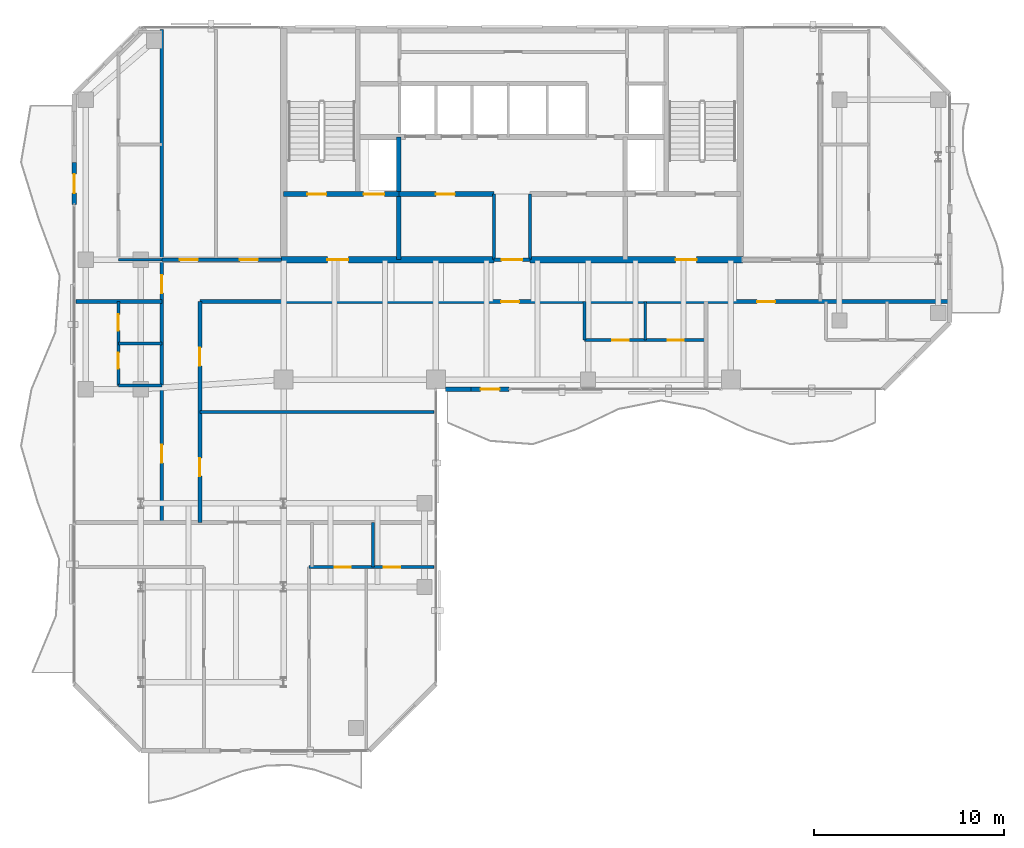
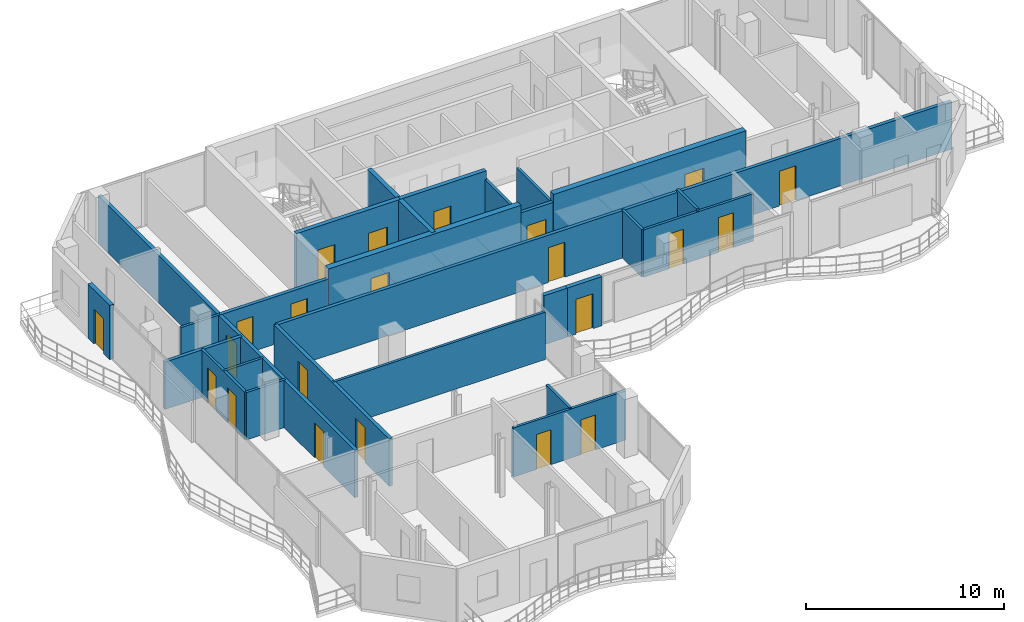
# One storey, part 18 of 23: 26 walls, 22 doors, 22 openings.
"""IFC4 building model written with IfcOpenShell, lengths in metres."""

import ifcopenshell
import ifcopenshell.guid

model = None  # the IFC model being written
_history = None  # IfcOwnerHistory: only IFC2X3 demands one
_inside = {}  # id of a spatial element -> (the spatial element, [elements in it])
_under = {}  # id of a project, library or spatial element -> (it, [spatial elements below it])
_declared = {}  # id of a project -> (the project, [libraries it declares])
_typed = {}  # id of a type object -> (the type object, [elements of that type])
_made_of = {}  # id of a material, layer set ... -> (it, [elements and type objects made of it])


def new_model(schema):
    """Start an empty IFC model of exactly this schema.

    Asked for "IFC4X3", IfcOpenShell would pick the latest addendum, in which some entities
    have other attributes; the version numbers below select the first issue.
    IFC2X3 requires an IfcOwnerHistory on every rooted entity: one is made here for all.
    """
    global model, _history
    if schema == "IFC4X3":
        model = ifcopenshell.file(schema_version=(4, 3, 0, 0))
    else:
        model = ifcopenshell.file(schema=schema)
    _inside.clear()
    _under.clear()
    _declared.clear()
    _typed.clear()
    _made_of.clear()
    _history = None
    if model.schema == "IFC2X3":
        org = make("IfcOrganization", Name="unknown")
        user = make(
            "IfcPersonAndOrganization",
            ThePerson=make("IfcPerson", FamilyName="unknown"),
            TheOrganization=org,
        )
        app = make(
            "IfcApplication",
            ApplicationDeveloper=org,
            Version="unknown",
            ApplicationFullName="unknown",
            ApplicationIdentifier="unknown",
        )
        _history = make(
            "IfcOwnerHistory",
            OwningUser=user,
            OwningApplication=app,
            ChangeAction="ADDED",
            CreationDate=0,
        )
    return model


def make(cls, **values):
    """One entity of the class cls with the attributes given. An attribute that is None is left unset."""
    return model.create_entity(
        cls, **{name: value for name, value in values.items() if value is not None}
    )


def rooted(cls, **values):
    """An entity with a GlobalId (a new one), such as an element, a storey or a relation."""
    return make(cls, GlobalId=ifcopenshell.guid.new(), OwnerHistory=_history, **values)


def si_unit(unit_type, name, prefix=None):
    """IfcSIUnit, for example si_unit("LENGTHUNIT", "METRE", prefix="MILLI")."""
    return make("IfcSIUnit", UnitType=unit_type, Prefix=prefix, Name=name)


def assignment(units):
    """IfcUnitAssignment: the units of a project."""
    return None if units is None else make("IfcUnitAssignment", Units=units)


def point(xyz):
    """IfcCartesianPoint."""
    return None if xyz is None else make("IfcCartesianPoint", Coordinates=xyz)


def direction(xyz):
    """IfcDirection."""
    return None if xyz is None else make("IfcDirection", DirectionRatios=xyz)


def frame(location, z_axis=None, x_axis=None):
    """IfcAxis2Placement3D, a coordinate frame: its origin and axes. An axis left out is left unset."""
    return make(
        "IfcAxis2Placement3D",
        Location=point(location),
        Axis=direction(z_axis),
        RefDirection=direction(x_axis),
    )


def frame_2d(location, x_axis=None):
    """IfcAxis2Placement2D, a coordinate frame in the plane: its origin and x axis."""
    return make(
        "IfcAxis2Placement2D", Location=point(location), RefDirection=direction(x_axis)
    )


def origin():
    """The frame at (0, 0, 0) with its axes left unset."""
    return frame((0.0, 0.0, 0.0))


def place(relative_to, where):
    """IfcLocalPlacement: puts the frame where relative to a parent placement (None: the world)."""
    return make(
        "IfcLocalPlacement", PlacementRelTo=relative_to, RelativePlacement=where
    )


def context(
    kind, dimensions, precision=None, world=None, true_north=None, identifier=None
):
    """IfcGeometricRepresentationContext, for example the 3D "Model" context."""
    return make(
        "IfcGeometricRepresentationContext",
        ContextIdentifier=identifier,
        ContextType=kind,
        CoordinateSpaceDimension=dimensions,
        Precision=precision,
        WorldCoordinateSystem=world,
        TrueNorth=true_north,
    )


def subcontext(parent, identifier, kind, view, scale=None):
    """IfcGeometricRepresentationSubContext, for example "Body" below "Model"."""
    return make(
        "IfcGeometricRepresentationSubContext",
        ContextIdentifier=identifier,
        ContextType=kind,
        ParentContext=parent,
        TargetScale=scale,
        TargetView=view,
    )


def project(units=None, contexts=None):
    """IfcProject with its units and contexts."""
    return rooted(
        "IfcProject",
        Name="project",
        RepresentationContexts=contexts,
        UnitsInContext=assignment(units),
    )


def spatial(cls, under=None, at=None, **own):
    """A site, building, storey or space (cls), placed at a placement, below another one or the project."""
    s = rooted(cls, ObjectPlacement=at, **own)
    if under is not None:
        _under.setdefault(under.id(), (under, []))[1].append(s)
    return s


def profile(cls, at=None, kind="AREA", **sizes):
    """A parametric profile (cls). Its sizes go by their IFC names, for example OverallWidth=200.0."""
    return make(cls, ProfileType=kind, Position=at, **sizes)


def rectangle(**sizes):
    """IfcRectangleProfileDef."""
    return profile("IfcRectangleProfileDef", **sizes)


def extrude(swept, where, along, depth):
    """IfcExtrudedAreaSolid: the profile swept, set in the frame where, extruded along a direction by depth."""
    return make(
        "IfcExtrudedAreaSolid",
        SweptArea=swept,
        Position=where,
        ExtrudedDirection=direction(along),
        Depth=depth,
    )


def shape(context_of_items, identifier, shape_type, items):
    """IfcShapeRepresentation: the items that make up one representation, for example the "Body"."""
    return make(
        "IfcShapeRepresentation",
        ContextOfItems=context_of_items,
        RepresentationIdentifier=identifier,
        RepresentationType=shape_type,
        Items=items,
    )


def material(Name=None, Category=None):
    """IfcMaterial."""
    return make("IfcMaterial", Name=Name, Category=Category)


def layer(
    of_material, thickness, ventilated=None, Name=None, Category=None, Priority=None
):
    """IfcMaterialLayer: one layer of a wall or slab, of a material (None: an air gap)."""
    return make(
        "IfcMaterialLayer",
        Material=of_material,
        LayerThickness=thickness,
        IsVentilated=ventilated,
        Name=Name,
        Category=Category,
        Priority=Priority,
    )


def layer_set(layers, Name=None):
    """IfcMaterialLayerSet."""
    return make("IfcMaterialLayerSet", MaterialLayers=layers, LayerSetName=Name)


def made_of(thing, what):
    """Note that an element or type object is made of a material, layer set ...; save() writes the relation."""
    if what is not None:
        _made_of.setdefault(what.id(), (what, []))[1].append(thing)
    return thing


def type_object(cls, material=None, **own):
    """A type object (cls), such as IfcWallType, which elements share."""
    return made_of(rooted(cls, **own), material)


def element(
    cls,
    number,
    at=None,
    inside=None,
    cuts=None,
    type_object=None,
    material=None,
    context=None,
    identifier="Body",
    shape_type=None,
    held_by="IfcProductDefinitionShape",
    body=None,
    shapes=None,
    **own,
):
    """One element of the class cls, such as IfcWall. Its Tag is "e" and its number.

    at: its placement. inside: the storey or other place that contains it. cuts: it is an
    opening in that element (IfcRelVoidsElement). A single representation is given by context,
    identifier, shape_type and body (its items); several are given by shapes. held_by: the class
    of the entity that holds the representations. save() writes the other relations.
    """
    e = rooted(cls, Tag="e%d" % number, ObjectPlacement=at, **own)
    if body is not None:
        shapes = [shape(context, identifier, shape_type, body)]
    if shapes is not None:
        e.Representation = make(held_by, Representations=shapes)
    if inside is not None:
        _inside.setdefault(inside.id(), (inside, []))[1].append(e)
    if cuts is not None:
        rooted(
            "IfcRelVoidsElement", RelatingBuildingElement=cuts, RelatedOpeningElement=e
        )
    if type_object is not None:
        _typed.setdefault(type_object.id(), (type_object, []))[1].append(e)
    return made_of(e, material)


def fill(opening, filler):
    """IfcRelFillsElement: the door or window that sits in an opening."""
    return rooted(
        "IfcRelFillsElement",
        RelatingOpeningElement=opening,
        RelatedBuildingElement=filler,
    )


def aggregate(whole, parts):
    """IfcRelAggregates: a whole, such as a stair, and the parts it consists of."""
    return rooted("IfcRelAggregates", RelatingObject=whole, RelatedObjects=parts)


def save(model, path):
    """Write the relations noted so far, then the file.

    IfcRelAggregates (storeys below a building ...), IfcRelContainedInSpatialStructure (elements
    in a storey), IfcRelDefinesByType, IfcRelAssociatesMaterial and IfcRelDeclares: one each for
    every whole, place, type object, material and project.
    """
    for whole, parts in _under.values():
        aggregate(whole, parts)
    for where, things in _inside.values():
        rooted(
            "IfcRelContainedInSpatialStructure",
            RelatedElements=things,
            RelatingStructure=where,
        )
    for kind, things in _typed.values():
        rooted("IfcRelDefinesByType", RelatedObjects=things, RelatingType=kind)
    for what, things in _made_of.values():
        rooted("IfcRelAssociatesMaterial", RelatedObjects=things, RelatingMaterial=what)
    for by, libraries in _declared.values():
        rooted("IfcRelDeclares", RelatingContext=by, RelatedDefinitions=libraries)
    model.write(path)


model = new_model("IFC4")

# Units and contexts
model_context = context("Model", 3, precision=1e-05, world=origin(), true_north=direction((0.0, 1.0)))
body_context = subcontext(model_context, "Body", "Model", "MODEL_VIEW")
ifc_project = project(units=[si_unit("LENGTHUNIT", "METRE"), si_unit("AREAUNIT", "SQUARE_METRE"), si_unit("VOLUMEUNIT", "CUBIC_METRE"), si_unit("PLANEANGLEUNIT", "RADIAN"), si_unit("MASSUNIT", "GRAM", prefix="KILO")], contexts=[model_context])

# Site, building, storey
site_placement = place(None, origin())
site = spatial("IfcSite", under=ifc_project, at=site_placement, CompositionType="ELEMENT")
building_placement = place(site_placement, origin())
building = spatial("IfcBuilding", under=site, at=building_placement, Name="Catumbela Crestline Tower", CompositionType="ELEMENT")
storey_placement = place(building_placement, frame((0.0, 0.0, 190.2)))
storey = spatial("IfcBuildingStorey", under=building, at=storey_placement, Name="L49", CompositionType="ELEMENT", Elevation=190.2)

# Wall
ifc_material_1 = material(Name="Concrete C50/60", Category="concrete")
ifc_layer_1 = layer(ifc_material_1, 0.25, Name="Concrete C50/60")
ifc_layer_set_1 = layer_set([ifc_layer_1], Name="Concrete C50/60")
wall_type_1 = type_object("IfcWallType", Name="CW-250D", PredefinedType="SHEAR", material=ifc_layer_set_1)
wall_1_placement = place(storey_placement, frame((22.05, 30.8, 0.0), z_axis=(0.0, 0.0, 1.0), x_axis=(0.0, 1.0, 0.0)))
element("IfcWall", 1, at=wall_1_placement, inside=storey, type_object=wall_type_1, Name="L49 Structural Core Shear Wall FFW", PredefinedType="SHEAR", context=body_context, shape_type="SweptSolid", body=[
    extrude(rectangle(XDim=6.45, YDim=0.25, at=frame_2d((3.225, 0.0))), origin(), (0.0, 0.0, 1.0), 3.6),
])

# Wall, openings, doors
wall_2_placement = place(storey_placement, frame((16.0, 34.25, 0.0), z_axis=(0.0, 0.0, 1.0), x_axis=(1.0, 0.0, 0.0)))
wall_2 = element("IfcWall", 2, at=wall_2_placement, inside=storey, type_object=wall_type_1, Name="L49 Structural Core Shear Wall ST1S", PredefinedType="SHEAR", context=body_context, shape_type="SweptSolid", body=[
    extrude(rectangle(XDim=6.05, YDim=0.25, at=frame_2d((3.025, 0.0))), origin(), (0.0, 0.0, 1.0), 3.6),
])
opening_1_placement = place(wall_2_placement, frame((1.25, 0.0, 0.0)))
opening_1 = element("IfcOpeningElement", 3, at=opening_1_placement, cuts=wall_2, Name="Opening DF9-100", PredefinedType="OPENING", context=body_context, shape_type="SweptSolid", body=[
    extrude(rectangle(XDim=1.0, YDim=2.15, at=frame_2d((0.5, 1.075))), frame((0.0, 0.135, 0.0), z_axis=(0.0, -1.0, 0.0), x_axis=(1.0, 0.0, 0.0)), (0.0, 0.0, 1.0), 0.27),
])
opening_2_placement = place(wall_2_placement, frame((4.2, 0.0, 0.0)))
opening_2 = element("IfcOpeningElement", 4, at=opening_2_placement, cuts=wall_2, Name="Opening LD-110", PredefinedType="OPENING", context=body_context, shape_type="SweptSolid", body=[
    extrude(rectangle(XDim=1.1, YDim=2.15, at=frame_2d((0.55, 1.075))), frame((0.0, 0.135, 0.0), z_axis=(0.0, -1.0, 0.0), x_axis=(1.0, 0.0, 0.0)), (0.0, 0.0, 1.0), 0.27),
])
ifc_material_2 = material(Name="Stainless steel EN 1.4401", Category="steel")
door_type_1 = type_object("IfcDoorType", Name="DF9-100", OperationType="NOTDEFINED", PredefinedType="DOOR", material=ifc_material_2)
door_1_placement = place(opening_1_placement, origin())
door_1 = element("IfcDoor", 5, at=door_1_placement, inside=storey, type_object=door_type_1, Name="L49 Interior Door DR-L49-ST01", OperationType="SINGLE_SWING_LEFT", OverallHeight=2.15, OverallWidth=1.0, PredefinedType="DOOR", context=body_context, shape_type="SweptSolid", body=[
    extrude(rectangle(XDim=1.0, YDim=2.15, at=frame_2d((0.5, 1.075))), frame((0.0, 0.025, 0.0), z_axis=(0.0, -1.0, 0.0), x_axis=(1.0, 0.0, 0.0)), (0.0, 0.0, 1.0), 0.05),
])
fill(opening_1, door_1)
door_type_2 = type_object("IfcDoorType", Name="LD-110", OperationType="NOTDEFINED", PredefinedType="DOOR", material=ifc_material_2)
door_2_placement = place(opening_2_placement, origin())
door_2 = element("IfcDoor", 6, at=door_2_placement, inside=storey, type_object=door_type_2, Name="L49 Lift Landing Sliding Door FL-01", OperationType="DOUBLE_DOOR_SLIDING", OverallHeight=2.15, OverallWidth=1.1, PredefinedType="DOOR", context=body_context, shape_type="SweptSolid", body=[
    extrude(rectangle(XDim=1.1, YDim=2.15, at=frame_2d((0.55, 1.075))), frame((0.0, 0.025, 0.0), z_axis=(0.0, -1.0, 0.0), x_axis=(1.0, 0.0, 0.0)), (0.0, 0.0, 1.0), 0.05),
])
fill(opening_2, door_2)

# Wall, opening, door
wall_3_placement = place(storey_placement, frame((22.05, 34.25, 0.0), z_axis=(0.0, 0.0, 1.0), x_axis=(1.0, 0.0, 0.0)))
wall_3 = element("IfcWall", 7, at=wall_3_placement, inside=storey, type_object=wall_type_1, Name="L49 Structural Core Shear Wall LIFTS-W", PredefinedType="SHEAR", context=body_context, shape_type="SweptSolid", body=[
    extrude(rectangle(XDim=5.0, YDim=0.25, at=frame_2d((2.5, 0.0))), origin(), (0.0, 0.0, 1.0), 3.6),
])
opening_3_placement = place(wall_3_placement, frame((1.95, 0.0, 0.0)))
opening_3 = element("IfcOpeningElement", 8, at=opening_3_placement, cuts=wall_3, Name="Opening DF9-100", PredefinedType="OPENING", context=body_context, shape_type="SweptSolid", body=[
    extrude(rectangle(XDim=1.0, YDim=2.15, at=frame_2d((0.5, 1.075))), frame((0.0, 0.135, 0.0), z_axis=(0.0, -1.0, 0.0), x_axis=(1.0, 0.0, 0.0)), (0.0, 0.0, 1.0), 0.27),
])
door_3_placement = place(opening_3_placement, origin())
door_3 = element("IfcDoor", 9, at=door_3_placement, inside=storey, type_object=door_type_1, Name="L49 Interior Door DR-L49-RECL1", OperationType="SINGLE_SWING_LEFT", OverallHeight=2.15, OverallWidth=1.0, PredefinedType="DOOR", context=body_context, shape_type="SweptSolid", body=[
    extrude(rectangle(XDim=1.0, YDim=2.15, at=frame_2d((0.5, 1.075))), frame((0.0, 0.025, 0.0), z_axis=(0.0, -1.0, 0.0), x_axis=(1.0, 0.0, 0.0)), (0.0, 0.0, 1.0), 0.05),
])
fill(opening_3, door_3)

ifc_layer_2 = layer(ifc_material_1, 0.35, Name="Concrete C50/60")
ifc_layer_set_2 = layer_set([ifc_layer_2], Name="Concrete C50/60")
wall_type_2 = type_object("IfcWallType", Name="CW-350B", PredefinedType="SHEAR", material=ifc_layer_set_2)
wall_4_placement = place(storey_placement, frame((15.85, 30.8, 0.0), z_axis=(0.0, 0.0, 1.0), x_axis=(1.0, 0.0, 0.0)))
wall_4 = element("IfcWall", 10, at=wall_4_placement, inside=storey, type_object=wall_type_2, Name="L49 Structural Core Shear Wall SW", PredefinedType="SHEAR", context=body_context, shape_type="SweptSolid", body=[
    extrude(rectangle(XDim=11.2, YDim=0.35, at=frame_2d((5.6, 0.0))), origin(), (0.0, 0.0, 1.0), 3.6),
])
opening_4_placement = place(wall_4_placement, frame((2.45, 0.0, 0.0)))
opening_4 = element("IfcOpeningElement", 11, at=opening_4_placement, cuts=wall_4, Name="Opening DF9-110", PredefinedType="OPENING", context=body_context, shape_type="SweptSolid", body=[
    extrude(rectangle(XDim=1.1, YDim=2.15, at=frame_2d((0.55, 1.075))), frame((0.0, 0.185, 0.0), z_axis=(0.0, -1.0, 0.0), x_axis=(1.0, 0.0, 0.0)), (0.0, 0.0, 1.0), 0.37),
])
door_type_3 = type_object("IfcDoorType", Name="DF9-110", OperationType="NOTDEFINED", PredefinedType="DOOR", material=ifc_material_2)
door_4_placement = place(opening_4_placement, origin())
door_4 = element("IfcDoor", 12, at=door_4_placement, inside=storey, type_object=door_type_3, Name="L49 Interior Door DR-L49-FFW-S", OperationType="SINGLE_SWING_LEFT", OverallHeight=2.15, OverallWidth=1.1, PredefinedType="DOOR", context=body_context, shape_type="SweptSolid", body=[
    extrude(rectangle(XDim=1.1, YDim=2.15, at=frame_2d((0.55, 1.075))), frame((0.0, 0.025, 0.0), z_axis=(0.0, -1.0, 0.0), x_axis=(1.0, 0.0, 0.0)), (0.0, 0.0, 1.0), 0.05),
])
fill(opening_4, door_4)

wall_5_placement = place(storey_placement, frame((28.95, 30.8, 0.0), z_axis=(0.0, 0.0, 1.0), x_axis=(1.0, 0.0, 0.0)))
wall_5 = element("IfcWall", 13, at=wall_5_placement, inside=storey, type_object=wall_type_2, Name="L49 Structural Core Shear Wall SE", PredefinedType="SHEAR", context=body_context, shape_type="SweptSolid", body=[
    extrude(rectangle(XDim=11.2, YDim=0.35, at=frame_2d((5.6, 0.0))), origin(), (0.0, 0.0, 1.0), 3.6),
])
opening_5_placement = place(wall_5_placement, frame((7.65, 0.0, 0.0)))
opening_5 = element("IfcOpeningElement", 14, at=opening_5_placement, cuts=wall_5, Name="Opening DF9-110", PredefinedType="OPENING", context=body_context, shape_type="SweptSolid", body=[
    extrude(rectangle(XDim=1.1, YDim=2.15, at=frame_2d((0.55, 1.075))), frame((0.0, 0.185, 0.0), z_axis=(0.0, -1.0, 0.0), x_axis=(1.0, 0.0, 0.0)), (0.0, 0.0, 1.0), 0.37),
])
door_5_placement = place(opening_5_placement, origin())
door_5 = element("IfcDoor", 15, at=door_5_placement, inside=storey, type_object=door_type_3, Name="L49 Interior Door DR-L49-FFE-S", OperationType="SINGLE_SWING_RIGHT", OverallHeight=2.15, OverallWidth=1.1, PredefinedType="DOOR", context=body_context, shape_type="SweptSolid", body=[
    extrude(rectangle(XDim=1.1, YDim=2.15, at=frame_2d((0.55, 1.075))), frame((0.0, 0.025, 0.0), z_axis=(0.0, -1.0, 0.0), x_axis=(1.0, 0.0, 0.0)), (0.0, 0.0, 1.0), 0.05),
])
fill(opening_5, door_5)

ifc_material_3 = material(Name="Acoustic gypsum and mineral-wool partition")
ifc_layer_3 = layer(ifc_material_3, 0.2, Name="Acoustic gypsum and mineral-wool partition")
ifc_layer_set_3 = layer_set([ifc_layer_3], Name="Acoustic gypsum and mineral-wool partition")
wall_type_3 = type_object("IfcWallType", Name="WC-200", PredefinedType="PARTITIONING", material=ifc_layer_set_3)
wall_6_placement = place(storey_placement, frame((27.05, 30.8, 0.0), z_axis=(0.0, 0.0, 1.0), x_axis=(1.0, 0.0, 0.0)))
wall_6 = element("IfcWall", 16, at=wall_6_placement, inside=storey, type_object=wall_type_3, Name="L49 Interior Partition PW-L49-CLOBS", PredefinedType="PARTITIONING", context=body_context, shape_type="SweptSolid", body=[
    extrude(rectangle(XDim=1.9, YDim=0.2, at=frame_2d((0.95, 0.0))), origin(), (0.0, 0.0, 1.0), 3.07),
])
opening_6_placement = place(wall_6_placement, frame((0.4, 0.0, 0.0)))
opening_6 = element("IfcOpeningElement", 17, at=opening_6_placement, cuts=wall_6, Name="Opening DF9-110", PredefinedType="OPENING", context=body_context, shape_type="SweptSolid", body=[
    extrude(rectangle(XDim=1.1, YDim=2.15, at=frame_2d((0.55, 1.075))), frame((0.0, 0.11, 0.0), z_axis=(0.0, -1.0, 0.0), x_axis=(1.0, 0.0, 0.0)), (0.0, 0.0, 1.0), 0.22),
])
door_6_placement = place(opening_6_placement, origin())
door_6 = element("IfcDoor", 18, at=door_6_placement, inside=storey, type_object=door_type_3, Name="L49 Interior Door DR-L49-CLOBS", OperationType="SINGLE_SWING_LEFT", OverallHeight=2.15, OverallWidth=1.1, PredefinedType="DOOR", context=body_context, shape_type="SweptSolid", body=[
    extrude(rectangle(XDim=1.1, YDim=2.15, at=frame_2d((0.55, 1.075))), frame((0.0, 0.025, 0.0), z_axis=(0.0, -1.0, 0.0), x_axis=(1.0, 0.0, 0.0)), (0.0, 0.0, 1.0), 0.05),
])
fill(opening_6, door_6)

# Wall, openings, doors
wall_7_placement = place(storey_placement, frame((11.6, 28.6, 0.0), z_axis=(0.0, 0.0, 1.0), x_axis=(1.0, 0.0, 0.0)))
wall_7 = element("IfcWall", 19, at=wall_7_placement, inside=storey, type_object=wall_type_3, Name="L49 Interior Partition PW-L49-RCWR", PredefinedType="PARTITIONING", context=body_context, shape_type="SweptSolid", body=[
    extrude(rectangle(XDim=39.3, YDim=0.2, at=frame_2d((19.65, 0.0))), origin(), (0.0, 0.0, 1.0), 2.92),
])
opening_7_placement = place(wall_7_placement, frame((15.825, 0.0, 0.0)))
opening_7 = element("IfcOpeningElement", 20, at=opening_7_placement, cuts=wall_7, Name="Opening DF6-095", PredefinedType="OPENING", context=body_context, shape_type="SweptSolid", body=[
    extrude(rectangle(XDim=0.95, YDim=2.15, at=frame_2d((0.475, 1.075))), frame((0.0, 0.11, 0.0), z_axis=(0.0, -1.0, 0.0), x_axis=(1.0, 0.0, 0.0)), (0.0, 0.0, 1.0), 0.22),
])
opening_8_placement = place(wall_7_placement, frame((29.275, 0.0, 0.0)))
opening_8 = element("IfcOpeningElement", 21, at=opening_8_placement, cuts=wall_7, Name="Opening DF6-095", PredefinedType="OPENING", context=body_context, shape_type="SweptSolid", body=[
    extrude(rectangle(XDim=0.95, YDim=2.15, at=frame_2d((0.475, 1.075))), frame((0.0, 0.11, 0.0), z_axis=(0.0, -1.0, 0.0), x_axis=(1.0, 0.0, 0.0)), (0.0, 0.0, 1.0), 0.22),
])
ifc_material_4 = material(Name="Aluminium alloy AW-6060-T66", Category="aluminium")
door_type_4 = type_object("IfcDoorType", Name="DF6-095", OperationType="NOTDEFINED", PredefinedType="DOOR", material=ifc_material_4)
door_7_placement = place(opening_7_placement, origin())
door_7 = element("IfcDoor", 22, at=door_7_placement, inside=storey, type_object=door_type_4, Name="L49 Interior Door DR-L49-S1-ENT", OperationType="SINGLE_SWING_LEFT", OverallHeight=2.15, OverallWidth=0.95, PredefinedType="DOOR", context=body_context, shape_type="SweptSolid", body=[
    extrude(rectangle(XDim=0.95, YDim=2.15, at=frame_2d((0.475, 1.075))), frame((0.0, 0.025, 0.0), z_axis=(0.0, -1.0, 0.0), x_axis=(1.0, 0.0, 0.0)), (0.0, 0.0, 1.0), 0.05),
])
fill(opening_7, door_7)
door_8_placement = place(opening_8_placement, origin())
door_8 = element("IfcDoor", 23, at=door_8_placement, inside=storey, type_object=door_type_4, Name="L49 Interior Door DR-L49-S2-ENT", OperationType="SINGLE_SWING_RIGHT", OverallHeight=2.15, OverallWidth=0.95, PredefinedType="DOOR", context=body_context, shape_type="SweptSolid", body=[
    extrude(rectangle(XDim=0.95, YDim=2.15, at=frame_2d((0.475, 1.075))), frame((0.0, 0.025, 0.0), z_axis=(0.0, -1.0, 0.0), x_axis=(1.0, 0.0, 0.0)), (0.0, 0.0, 1.0), 0.05),
])
fill(opening_8, door_8)

wall_8_placement = place(storey_placement, frame((9.6, 17.0, 0.0), z_axis=(0.0, 0.0, 1.0), x_axis=(0.0, 1.0, 0.0)))
wall_8 = element("IfcWall", 24, at=wall_8_placement, inside=storey, type_object=wall_type_3, Name="L49 Interior Partition PW-L49-NW1-ENT", PredefinedType="PARTITIONING", context=body_context, shape_type="SweptSolid", body=[
    extrude(rectangle(XDim=25.9, YDim=0.2, at=frame_2d((12.95, 0.0))), origin(), (0.0, 0.0, 1.0), 2.92),
])
opening_9_placement = place(wall_8_placement, frame((12.045, 0.0, 0.0)))
opening_9 = element("IfcOpeningElement", 25, at=opening_9_placement, cuts=wall_8, Name="Opening DF6-095", PredefinedType="OPENING", context=body_context, shape_type="SweptSolid", body=[
    extrude(rectangle(XDim=0.95, YDim=2.15, at=frame_2d((0.475, 1.075))), frame((0.0, 0.11, 0.0), z_axis=(0.0, -1.0, 0.0), x_axis=(1.0, 0.0, 0.0)), (0.0, 0.0, 1.0), 0.22),
])
opening_10_placement = place(wall_8_placement, frame((3.125, 0.0, 0.0)))
opening_10 = element("IfcOpeningElement", 26, at=opening_10_placement, cuts=wall_8, Name="Opening DF6-095", PredefinedType="OPENING", context=body_context, shape_type="SweptSolid", body=[
    extrude(rectangle(XDim=0.95, YDim=2.15, at=frame_2d((0.475, 1.075))), frame((0.0, 0.11, 0.0), z_axis=(0.0, -1.0, 0.0), x_axis=(1.0, 0.0, 0.0)), (0.0, 0.0, 1.0), 0.22),
])
door_9_placement = place(opening_9_placement, origin())
door_9 = element("IfcDoor", 27, at=door_9_placement, inside=storey, type_object=door_type_4, Name="L49 Interior Door DR-L49-NW1-ENT", OperationType="SINGLE_SWING_LEFT", OverallHeight=2.15, OverallWidth=0.95, PredefinedType="DOOR", context=body_context, shape_type="SweptSolid", body=[
    extrude(rectangle(XDim=0.95, YDim=2.15, at=frame_2d((0.475, 1.075))), frame((0.0, 0.025, 0.0), z_axis=(0.0, -1.0, 0.0), x_axis=(1.0, 0.0, 0.0)), (0.0, 0.0, 1.0), 0.05),
])
fill(opening_9, door_9)
door_10_placement = place(opening_10_placement, origin())
door_10 = element("IfcDoor", 28, at=door_10_placement, inside=storey, type_object=door_type_4, Name="L49 Interior Door DR-L49-WL1-ENT", OperationType="SINGLE_SWING_LEFT", OverallHeight=2.15, OverallWidth=0.95, PredefinedType="DOOR", context=body_context, shape_type="SweptSolid", body=[
    extrude(rectangle(XDim=0.95, YDim=2.15, at=frame_2d((0.475, 1.075))), frame((0.0, 0.025, 0.0), z_axis=(0.0, -1.0, 0.0), x_axis=(1.0, 0.0, 0.0)), (0.0, 0.0, 1.0), 0.05),
])
fill(opening_10, door_10)

wall_9_placement = place(storey_placement, frame((9.6, 30.8, 0.0), z_axis=(0.0, 0.0, 1.0), x_axis=(1.0, 0.0, 0.0)))
wall_9 = element("IfcWall", 29, at=wall_9_placement, inside=storey, type_object=wall_type_3, Name="L49 Interior Partition PW-L49-NWST-ENT", PredefinedType="PARTITIONING", context=body_context, shape_type="SweptSolid", body=[
    extrude(rectangle(XDim=6.3, YDim=0.2, at=frame_2d((3.15, 0.0))), origin(), (0.0, 0.0, 1.0), 2.92),
])
opening_11_placement = place(wall_9_placement, frame((0.95, 0.0, 0.0)))
opening_11 = element("IfcOpeningElement", 30, at=opening_11_placement, cuts=wall_9, Name="Opening DF6-095", PredefinedType="OPENING", context=body_context, shape_type="SweptSolid", body=[
    extrude(rectangle(XDim=0.95, YDim=2.15, at=frame_2d((0.475, 1.075))), frame((0.0, 0.11, 0.0), z_axis=(0.0, -1.0, 0.0), x_axis=(1.0, 0.0, 0.0)), (0.0, 0.0, 1.0), 0.22),
])
opening_12_placement = place(wall_9_placement, frame((4.1, 0.0, 0.0)))
opening_12 = element("IfcOpeningElement", 31, at=opening_12_placement, cuts=wall_9, Name="Opening DF6-095", PredefinedType="OPENING", context=body_context, shape_type="SweptSolid", body=[
    extrude(rectangle(XDim=0.95, YDim=2.15, at=frame_2d((0.475, 1.075))), frame((0.0, 0.11, 0.0), z_axis=(0.0, -1.0, 0.0), x_axis=(1.0, 0.0, 0.0)), (0.0, 0.0, 1.0), 0.22),
])
door_11_placement = place(opening_11_placement, origin())
door_11 = element("IfcDoor", 32, at=door_11_placement, inside=storey, type_object=door_type_4, Name="L49 Interior Door DR-L49-NWST-ENT", OperationType="SINGLE_SWING_LEFT", OverallHeight=2.15, OverallWidth=0.95, PredefinedType="DOOR", context=body_context, shape_type="SweptSolid", body=[
    extrude(rectangle(XDim=0.95, YDim=2.15, at=frame_2d((0.475, 1.075))), frame((0.0, 0.025, 0.0), z_axis=(0.0, -1.0, 0.0), x_axis=(1.0, 0.0, 0.0)), (0.0, 0.0, 1.0), 0.05),
])
fill(opening_11, door_11)
door_12_placement = place(opening_12_placement, origin())
door_12 = element("IfcDoor", 33, at=door_12_placement, inside=storey, type_object=door_type_4, Name="L49 Interior Door DR-L49-NWMT-ENT", OperationType="SINGLE_SWING_LEFT", OverallHeight=2.15, OverallWidth=0.95, PredefinedType="DOOR", context=body_context, shape_type="SweptSolid", body=[
    extrude(rectangle(XDim=0.95, YDim=2.15, at=frame_2d((0.475, 1.075))), frame((0.0, 0.025, 0.0), z_axis=(0.0, -1.0, 0.0), x_axis=(1.0, 0.0, 0.0)), (0.0, 0.0, 1.0), 0.05),
])
fill(opening_12, door_12)

wall_10_placement = place(storey_placement, frame((11.6, 17.0, 0.0), z_axis=(0.0, 0.0, 1.0), x_axis=(0.0, 1.0, 0.0)))
wall_10 = element("IfcWall", 34, at=wall_10_placement, inside=storey, type_object=wall_type_3, Name="L49 Interior Partition PW-L49-RWMT-ENT", PredefinedType="PARTITIONING", context=body_context, shape_type="SweptSolid", body=[
    extrude(rectangle(XDim=11.6, YDim=0.2, at=frame_2d((5.8, 0.0))), origin(), (0.0, 0.0, 1.0), 2.92),
])
opening_13_placement = place(wall_10_placement, frame((8.225, 0.0, 0.0)))
opening_13 = element("IfcOpeningElement", 35, at=opening_13_placement, cuts=wall_10, Name="Opening DF6-095", PredefinedType="OPENING", context=body_context, shape_type="SweptSolid", body=[
    extrude(rectangle(XDim=0.95, YDim=2.15, at=frame_2d((0.475, 1.075))), frame((0.0, 0.11, 0.0), z_axis=(0.0, -1.0, 0.0), x_axis=(1.0, 0.0, 0.0)), (0.0, 0.0, 1.0), 0.22),
])
opening_14_placement = place(wall_10_placement, frame((2.425, 0.0, 0.0)))
opening_14 = element("IfcOpeningElement", 36, at=opening_14_placement, cuts=wall_10, Name="Opening DF6-095", PredefinedType="OPENING", context=body_context, shape_type="SweptSolid", body=[
    extrude(rectangle(XDim=0.95, YDim=2.15, at=frame_2d((0.475, 1.075))), frame((0.0, 0.11, 0.0), z_axis=(0.0, -1.0, 0.0), x_axis=(1.0, 0.0, 0.0)), (0.0, 0.0, 1.0), 0.22),
])
door_13_placement = place(opening_13_placement, origin())
door_13 = element("IfcDoor", 37, at=door_13_placement, inside=storey, type_object=door_type_4, Name="L49 Interior Door DR-L49-RWMT-ENT", OperationType="SINGLE_SWING_LEFT", OverallHeight=2.15, OverallWidth=0.95, PredefinedType="DOOR", context=body_context, shape_type="SweptSolid", body=[
    extrude(rectangle(XDim=0.95, YDim=2.15, at=frame_2d((0.475, 1.075))), frame((0.0, 0.025, 0.0), z_axis=(0.0, -1.0, 0.0), x_axis=(1.0, 0.0, 0.0)), (0.0, 0.0, 1.0), 0.05),
])
fill(opening_13, door_13)
door_14_placement = place(opening_14_placement, origin())
door_14 = element("IfcDoor", 38, at=door_14_placement, inside=storey, type_object=door_type_4, Name="L49 Interior Door DR-L49-RWLN-ENT", OperationType="SINGLE_SWING_RIGHT", OverallHeight=2.15, OverallWidth=0.95, PredefinedType="DOOR", context=body_context, shape_type="SweptSolid", body=[
    extrude(rectangle(XDim=0.95, YDim=2.15, at=frame_2d((0.475, 1.075))), frame((0.0, 0.025, 0.0), z_axis=(0.0, -1.0, 0.0), x_axis=(1.0, 0.0, 0.0)), (0.0, 0.0, 1.0), 0.05),
])
fill(opening_14, door_14)

# Wall, opening, door
ifc_material_5 = material(Name="Angolan grey-ochre granite", Category="masonry")
ifc_layer_4 = layer(ifc_material_5, 0.25, Name="Angolan grey-ochre granite")
ifc_layer_set_4 = layer_set([ifc_layer_4], Name="Angolan grey-ochre granite")
wall_type_4 = type_object("IfcWallType", Name="WE-250", PredefinedType="STANDARD", material=ifc_layer_set_4)
wall_11_placement = place(storey_placement, frame((25.85, 24.0, 0.0), z_axis=(0.0, 0.0, 1.0), x_axis=(1.0, 0.0, 0.0)))
wall_11 = element("IfcWall", 39, at=wall_11_placement, inside=storey, type_object=wall_type_4, Name="L49 Exterior Threshold Portal Wall DR-L49-WBAL-1", PredefinedType="STANDARD", context=body_context, shape_type="SweptSolid", body=[
    extrude(rectangle(XDim=2.0, YDim=0.25, at=frame_2d((1.0, 0.0))), origin(), (0.0, 0.0, 1.0), 3.02),
])
opening_15_placement = place(wall_11_placement, frame((0.5, 0.0, 0.0)))
opening_15 = element("IfcOpeningElement", 40, at=opening_15_placement, cuts=wall_11, Name="Opening DB-L49-1", PredefinedType="OPENING", context=body_context, shape_type="SweptSolid", body=[
    extrude(rectangle(XDim=1.0, YDim=2.15, at=frame_2d((0.5, 1.075))), frame((0.0, 0.135, 0.0), z_axis=(0.0, -1.0, 0.0), x_axis=(1.0, 0.0, 0.0)), (0.0, 0.0, 1.0), 0.27),
])
door_type_5 = type_object("IfcDoorType", Name="DB-1000", OperationType="NOTDEFINED", PredefinedType="DOOR", material=ifc_material_4)
door_15_placement = place(opening_15_placement, origin())
door_15 = element("IfcDoor", 41, at=door_15_placement, inside=storey, type_object=door_type_5, Name="L49 Wave Balcony Terrace Door 1", OperationType="SINGLE_SWING_LEFT", OverallHeight=2.15, OverallWidth=1.0, PredefinedType="DOOR", context=body_context, shape_type="SweptSolid", body=[
    extrude(rectangle(XDim=1.0, YDim=2.15, at=frame_2d((0.5, 1.075))), frame((0.0, 0.025, 0.0), z_axis=(0.0, -1.0, 0.0), x_axis=(1.0, 0.0, 0.0)), (0.0, 0.0, 1.0), 0.05),
])
fill(opening_15, door_15)

# Wall
wall_12_placement = place(storey_placement, frame((24.5, 24.0, 0.0), z_axis=(0.0, 0.0, 1.0), x_axis=(1.0, 0.0, 0.0)))
element("IfcWall", 42, at=wall_12_placement, inside=storey, type_object=wall_type_4, Name="L49 Granite Punched Window Wall 3-1", PredefinedType="STANDARD", context=body_context, shape_type="SweptSolid", body=[
    extrude(rectangle(XDim=1.35, YDim=0.25, at=frame_2d((0.675, 0.0))), origin(), (0.0, 0.0, 1.0), 3.02),
])

# Wall, opening, door
wall_13_placement = place(storey_placement, frame((5.0, 35.9, 0.0), z_axis=(0.0, 0.0, 1.0), x_axis=(0.0, -1.0, 0.0)))
wall_13 = element("IfcWall", 43, at=wall_13_placement, inside=storey, type_object=wall_type_4, Name="L49 Exterior Threshold Portal Wall DR-L49-WBAL-4", PredefinedType="STANDARD", context=body_context, shape_type="SweptSolid", body=[
    extrude(rectangle(XDim=2.2, YDim=0.25, at=frame_2d((1.1, 0.0))), origin(), (0.0, 0.0, 1.0), 3.33),
])
opening_16_placement = place(wall_13_placement, frame((0.6, 0.0, 0.0)))
opening_16 = element("IfcOpeningElement", 44, at=opening_16_placement, cuts=wall_13, Name="Opening DB-L49-4", PredefinedType="OPENING", context=body_context, shape_type="SweptSolid", body=[
    extrude(rectangle(XDim=1.0, YDim=2.15, at=frame_2d((0.5, 1.075))), frame((0.0, 0.135, 0.0), z_axis=(0.0, -1.0, 0.0), x_axis=(1.0, 0.0, 0.0)), (0.0, 0.0, 1.0), 0.27),
])
door_16_placement = place(opening_16_placement, origin())
door_16 = element("IfcDoor", 45, at=door_16_placement, inside=storey, type_object=door_type_5, Name="L49 Wave Balcony Terrace Door 4", OperationType="SINGLE_SWING_RIGHT", OverallHeight=2.15, OverallWidth=1.0, PredefinedType="DOOR", context=body_context, shape_type="SweptSolid", body=[
    extrude(rectangle(XDim=1.0, YDim=2.15, at=frame_2d((0.5, 1.075))), frame((0.0, 0.025, 0.0), z_axis=(0.0, -1.0, 0.0), x_axis=(1.0, 0.0, 0.0)), (0.0, 0.0, 1.0), 0.05),
])
fill(opening_16, door_16)

# Walls
ifc_layer_5 = layer(ifc_material_3, 0.15, Name="Acoustic gypsum and mineral-wool partition")
ifc_layer_set_5 = layer_set([ifc_layer_5], Name="Acoustic gypsum and mineral-wool partition")
wall_type_5 = type_object("IfcWallType", Name="WP-150", PredefinedType="PARTITIONING", material=ifc_layer_set_5)
wall_14_placement = place(storey_placement, frame((7.32, 30.8, 0.0), z_axis=(0.0, 0.0, 1.0), x_axis=(1.0, 0.0, 0.0)))
element("IfcWall", 46, at=wall_14_placement, inside=storey, type_object=wall_type_5, Name="L49 Interior Partition PW-L49-NW1-KBS", PredefinedType="PARTITIONING", context=body_context, shape_type="SweptSolid", body=[
    extrude(rectangle(XDim=2.28, YDim=0.15, at=frame_2d((1.14, 0.0))), origin(), (0.0, 0.0, 1.0), 2.92),
])
wall_15_placement = place(storey_placement, frame((31.8, 26.576, 0.0), z_axis=(0.0, 0.0, 1.0), x_axis=(0.0, 1.0, 0.0)))
element("IfcWall", 47, at=wall_15_placement, inside=storey, type_object=wall_type_5, Name="L49 Interior Partition PW-L49-S1-KBW", PredefinedType="PARTITIONING", context=body_context, shape_type="SweptSolid", body=[
    extrude(rectangle(XDim=2.024, YDim=0.15, at=frame_2d((1.012, 0.0))), origin(), (0.0, 0.0, 1.0), 2.92),
])
wall_16_placement = place(storey_placement, frame((35.0, 26.576, 0.0), z_axis=(0.0, 0.0, 1.0), x_axis=(0.0, 1.0, 0.0)))
element("IfcWall", 48, at=wall_16_placement, inside=storey, type_object=wall_type_5, Name="L49 Interior Partition PW-L49-S1-KBM", PredefinedType="PARTITIONING", context=body_context, shape_type="SweptSolid", body=[
    extrude(rectangle(XDim=2.024, YDim=0.15, at=frame_2d((1.012, 0.0))), origin(), (0.0, 0.0, 1.0), 3.07),
])

# Wall, openings, doors
wall_17_placement = place(storey_placement, frame((31.8, 26.576, 0.0), z_axis=(0.0, 0.0, 1.0), x_axis=(1.0, 0.0, 0.0)))
wall_17 = element("IfcWall", 49, at=wall_17_placement, inside=storey, type_object=wall_type_5, Name="L49 Interior Partition PW-L49-S1-KBD1", PredefinedType="PARTITIONING", context=body_context, shape_type="SweptSolid", body=[
    extrude(rectangle(XDim=6.4, YDim=0.15, at=frame_2d((3.2, 0.0))), origin(), (0.0, 0.0, 1.0), 2.92),
])
opening_17_placement = place(wall_17_placement, frame((1.4716, 0.0, 0.0)))
opening_17 = element("IfcOpeningElement", 50, at=opening_17_placement, cuts=wall_17, Name="Opening DI-085", PredefinedType="OPENING", context=body_context, shape_type="SweptSolid", body=[
    extrude(rectangle(XDim=0.85, YDim=2.15, at=frame_2d((0.425, 1.075))), frame((0.0, 0.085, 0.0), z_axis=(0.0, -1.0, 0.0), x_axis=(1.0, 0.0, 0.0)), (0.0, 0.0, 1.0), 0.17),
])
opening_18_placement = place(wall_17_placement, frame((4.375, 0.0, 0.0)))
opening_18 = element("IfcOpeningElement", 51, at=opening_18_placement, cuts=wall_17, Name="Opening DI-085", PredefinedType="OPENING", context=body_context, shape_type="SweptSolid", body=[
    extrude(rectangle(XDim=0.85, YDim=2.15, at=frame_2d((0.425, 1.075))), frame((0.0, 0.085, 0.0), z_axis=(0.0, -1.0, 0.0), x_axis=(1.0, 0.0, 0.0)), (0.0, 0.0, 1.0), 0.17),
])
door_type_6 = type_object("IfcDoorType", Name="DI-085", OperationType="NOTDEFINED", PredefinedType="DOOR", material=ifc_material_4)
door_17_placement = place(opening_17_placement, origin())
door_17 = element("IfcDoor", 52, at=door_17_placement, inside=storey, type_object=door_type_6, Name="L49 Interior Door DR-L49-S1-BTH", OperationType="SINGLE_SWING_LEFT", OverallHeight=2.15, OverallWidth=0.85, PredefinedType="DOOR", context=body_context, shape_type="SweptSolid", body=[
    extrude(rectangle(XDim=0.85, YDim=2.15, at=frame_2d((0.425, 1.075))), frame((0.0, 0.025, 0.0), z_axis=(0.0, -1.0, 0.0), x_axis=(1.0, 0.0, 0.0)), (0.0, 0.0, 1.0), 0.05),
])
fill(opening_17, door_17)
door_18_placement = place(opening_18_placement, origin())
door_18 = element("IfcDoor", 53, at=door_18_placement, inside=storey, type_object=door_type_6, Name="L49 Interior Door DR-L49-S1-KIT", OperationType="SINGLE_SWING_RIGHT", OverallHeight=2.15, OverallWidth=0.85, PredefinedType="DOOR", context=body_context, shape_type="SweptSolid", body=[
    extrude(rectangle(XDim=0.85, YDim=2.15, at=frame_2d((0.425, 1.075))), frame((0.0, 0.025, 0.0), z_axis=(0.0, -1.0, 0.0), x_axis=(1.0, 0.0, 0.0)), (0.0, 0.0, 1.0), 0.05),
])
fill(opening_18, door_18)

# Walls
for number, where, z_axis, x_axis, name in (
    (54, (7.32, 24.2, 0.0), (0.0, 0.0, 1.0), (1.0, 0.0, 0.0), "L49 Interior Partition PW-L49-WL1-KBS"),
    (55, (7.32, 26.4, 0.0), (0.0, 0.0, 1.0), (1.0, 0.0, 0.0), "L49 Interior Partition PW-L49-WL1-KBM"),
):
    element("IfcWall", number, at=place(storey_placement, frame(where, z_axis=z_axis, x_axis=x_axis)), inside=storey, type_object=wall_type_5, Name=name, PredefinedType="PARTITIONING", context=body_context, shape_type="SweptSolid", body=[
        extrude(rectangle(XDim=2.28, YDim=0.15, at=frame_2d((1.14, 0.0))), origin(), (0.0, 0.0, 1.0), 2.92),
    ])

# Wall, openings, doors
wall_18_placement = place(storey_placement, frame((7.32, 24.2, 0.0), z_axis=(0.0, 0.0, 1.0), x_axis=(0.0, 1.0, 0.0)))
wall_18 = element("IfcWall", 56, at=wall_18_placement, inside=storey, type_object=wall_type_5, Name="L49 Interior Partition PW-L49-WL1-SK1", PredefinedType="PARTITIONING", context=body_context, shape_type="SweptSolid", body=[
    extrude(rectangle(XDim=4.4, YDim=0.15, at=frame_2d((2.2, 0.0))), origin(), (0.0, 0.0, 1.0), 2.92),
])
opening_19_placement = place(wall_18_placement, frame((0.8733, 0.0, 0.0)))
opening_19 = element("IfcOpeningElement", 57, at=opening_19_placement, cuts=wall_18, Name="Opening DI-085", PredefinedType="OPENING", context=body_context, shape_type="SweptSolid", body=[
    extrude(rectangle(XDim=0.85, YDim=2.15, at=frame_2d((0.425, 1.075))), frame((0.0, 0.085, 0.0), z_axis=(0.0, -1.0, 0.0), x_axis=(1.0, 0.0, 0.0)), (0.0, 0.0, 1.0), 0.17),
])
opening_20_placement = place(wall_18_placement, frame((2.875, 0.0, 0.0)))
opening_20 = element("IfcOpeningElement", 58, at=opening_20_placement, cuts=wall_18, Name="Opening DI-085", PredefinedType="OPENING", context=body_context, shape_type="SweptSolid", body=[
    extrude(rectangle(XDim=0.85, YDim=2.15, at=frame_2d((0.425, 1.075))), frame((0.0, 0.085, 0.0), z_axis=(0.0, -1.0, 0.0), x_axis=(1.0, 0.0, 0.0)), (0.0, 0.0, 1.0), 0.17),
])
door_19_placement = place(opening_19_placement, origin())
door_19 = element("IfcDoor", 59, at=door_19_placement, inside=storey, type_object=door_type_6, Name="L49 Interior Door DR-L49-WL1-KIT", OperationType="SINGLE_SWING_LEFT", OverallHeight=2.15, OverallWidth=0.85, PredefinedType="DOOR", context=body_context, shape_type="SweptSolid", body=[
    extrude(rectangle(XDim=0.85, YDim=2.15, at=frame_2d((0.425, 1.075))), frame((0.0, 0.025, 0.0), z_axis=(0.0, -1.0, 0.0), x_axis=(1.0, 0.0, 0.0)), (0.0, 0.0, 1.0), 0.05),
])
fill(opening_19, door_19)
door_20_placement = place(opening_20_placement, origin())
door_20 = element("IfcDoor", 60, at=door_20_placement, inside=storey, type_object=door_type_6, Name="L49 Interior Door DR-L49-WL1-BTH", OperationType="SINGLE_SWING_RIGHT", OverallHeight=2.15, OverallWidth=0.85, PredefinedType="DOOR", context=body_context, shape_type="SweptSolid", body=[
    extrude(rectangle(XDim=0.85, YDim=2.15, at=frame_2d((0.425, 1.075))), frame((0.0, 0.025, 0.0), z_axis=(0.0, -1.0, 0.0), x_axis=(1.0, 0.0, 0.0)), (0.0, 0.0, 1.0), 0.05),
])
fill(opening_20, door_20)

# Walls
wall_19_placement = place(storey_placement, frame((11.6, 22.8, 0.0), z_axis=(0.0, 0.0, 1.0), x_axis=(1.0, 0.0, 0.0)))
element("IfcWall", 61, at=wall_19_placement, inside=storey, type_object=wall_type_5, Name="L49 Interior Partition PW-L49-RWRP3", PredefinedType="PARTITIONING", context=body_context, shape_type="SweptSolid", body=[
    extrude(rectangle(XDim=12.3, YDim=0.15, at=frame_2d((6.15, 0.0))), origin(), (0.0, 0.0, 1.0), 2.92),
])
wall_20_placement = place(storey_placement, frame((20.7, 14.65, 0.0), z_axis=(0.0, 0.0, 1.0), x_axis=(0.0, 1.0, 0.0)))
element("IfcWall", 62, at=wall_20_placement, inside=storey, type_object=wall_type_5, Name="L49 Interior Partition PW-L49-SH1-KBM", PredefinedType="PARTITIONING", context=body_context, shape_type="SweptSolid", body=[
    extrude(rectangle(XDim=2.35, YDim=0.15, at=frame_2d((1.175, 0.0))), origin(), (0.0, 0.0, 1.0), 3.07),
])

# Wall, openings, doors
wall_21_placement = place(storey_placement, frame((17.34, 14.65, 0.0), z_axis=(0.0, 0.0, 1.0), x_axis=(1.0, 0.0, 0.0)))
wall_21 = element("IfcWall", 63, at=wall_21_placement, inside=storey, type_object=wall_type_5, Name="L49 Interior Partition PW-L49-SH1-KBD1", PredefinedType="PARTITIONING", context=body_context, shape_type="SweptSolid", body=[
    extrude(rectangle(XDim=6.56, YDim=0.15, at=frame_2d((3.28, 0.0))), origin(), (0.0, 0.0, 1.0), 3.02),
])
opening_21_placement = place(wall_21_placement, frame((1.335, 0.0, 0.0)))
opening_21 = element("IfcOpeningElement", 64, at=opening_21_placement, cuts=wall_21, Name="Opening DI-085", PredefinedType="OPENING", context=body_context, shape_type="SweptSolid", body=[
    extrude(rectangle(XDim=0.85, YDim=2.15, at=frame_2d((0.425, 1.075))), frame((0.0, 0.085, 0.0), z_axis=(0.0, -1.0, 0.0), x_axis=(1.0, 0.0, 0.0)), (0.0, 0.0, 1.0), 0.17),
])
opening_22_placement = place(wall_21_placement, frame((3.9305, 0.0, 0.0)))
opening_22 = element("IfcOpeningElement", 65, at=opening_22_placement, cuts=wall_21, Name="Opening DI-085", PredefinedType="OPENING", context=body_context, shape_type="SweptSolid", body=[
    extrude(rectangle(XDim=0.85, YDim=2.15, at=frame_2d((0.425, 1.075))), frame((0.0, 0.085, 0.0), z_axis=(0.0, -1.0, 0.0), x_axis=(1.0, 0.0, 0.0)), (0.0, 0.0, 1.0), 0.17),
])
door_21_placement = place(opening_21_placement, origin())
door_21 = element("IfcDoor", 66, at=door_21_placement, inside=storey, type_object=door_type_6, Name="L49 Interior Door DR-L49-SH1-BTH", OperationType="SINGLE_SWING_LEFT", OverallHeight=2.15, OverallWidth=0.85, PredefinedType="DOOR", context=body_context, shape_type="SweptSolid", body=[
    extrude(rectangle(XDim=0.85, YDim=2.15, at=frame_2d((0.425, 1.075))), frame((0.0, 0.025, 0.0), z_axis=(0.0, -1.0, 0.0), x_axis=(1.0, 0.0, 0.0)), (0.0, 0.0, 1.0), 0.05),
])
fill(opening_21, door_21)
door_22_placement = place(opening_22_placement, origin())
door_22 = element("IfcDoor", 67, at=door_22_placement, inside=storey, type_object=door_type_6, Name="L49 Interior Door DR-L49-SH1-KIT", OperationType="SINGLE_SWING_RIGHT", OverallHeight=2.15, OverallWidth=0.85, PredefinedType="DOOR", context=body_context, shape_type="SweptSolid", body=[
    extrude(rectangle(XDim=0.85, YDim=2.15, at=frame_2d((0.425, 1.075))), frame((0.0, 0.025, 0.0), z_axis=(0.0, -1.0, 0.0), x_axis=(1.0, 0.0, 0.0)), (0.0, 0.0, 1.0), 0.05),
])
fill(opening_22, door_22)

# Walls
ifc_layer_6 = layer(ifc_material_3, 0.2, Name="Acoustic gypsum and mineral-wool partition")
ifc_layer_set_6 = layer_set([ifc_layer_6], Name="Acoustic gypsum and mineral-wool partition")
wall_type_6 = type_object("IfcWallType", Name="WY-200", PredefinedType="PARTITIONING", material=ifc_layer_set_6)
wall_22_placement = place(storey_placement, frame((5.1, 28.6, 0.0), z_axis=(0.0, 0.0, 1.0), x_axis=(1.0, 0.0, 0.0)))
element("IfcWall", 68, at=wall_22_placement, inside=storey, type_object=wall_type_6, Name="L49 Interior Partition PW-L49-RCWNW", PredefinedType="PARTITIONING", context=body_context, shape_type="SweptSolid", body=[
    extrude(rectangle(XDim=4.5, YDim=0.2, at=frame_2d((2.25, 0.0))), origin(), (0.0, 0.0, 1.0), 2.92),
])
ifc_layer_7 = layer(ifc_material_3, 0.15, Name="Acoustic gypsum and mineral-wool partition")
ifc_layer_set_7 = layer_set([ifc_layer_7], Name="Acoustic gypsum and mineral-wool partition")
wall_type_7 = type_object("IfcWallType", Name="WS-150", PredefinedType="PLUMBINGWALL", material=ifc_layer_set_7)
for number, where, z_axis, x_axis, name in (
    (69, (27.05, 30.8, 0.0), (0.0, 0.0, 1.0), (0.0, 1.0, 0.0), "L49 Interior Partition PW-L49-THRW"),
    (70, (28.95, 30.8, 0.0), (0.0, 0.0, 1.0), (0.0, 1.0, 0.0), "L49 Interior Partition PW-L49-THRE"),
):
    element("IfcWall", number, at=place(storey_placement, frame(where, z_axis=z_axis, x_axis=x_axis)), inside=storey, type_object=wall_type_7, Name=name, PredefinedType="PLUMBINGWALL", context=body_context, shape_type="SweptSolid", body=[
        extrude(rectangle(XDim=3.45, YDim=0.15, at=frame_2d((1.725, 0.0))), origin(), (0.0, 0.0, 1.0), 3.07),
    ])

save(model, "model.ifc")
